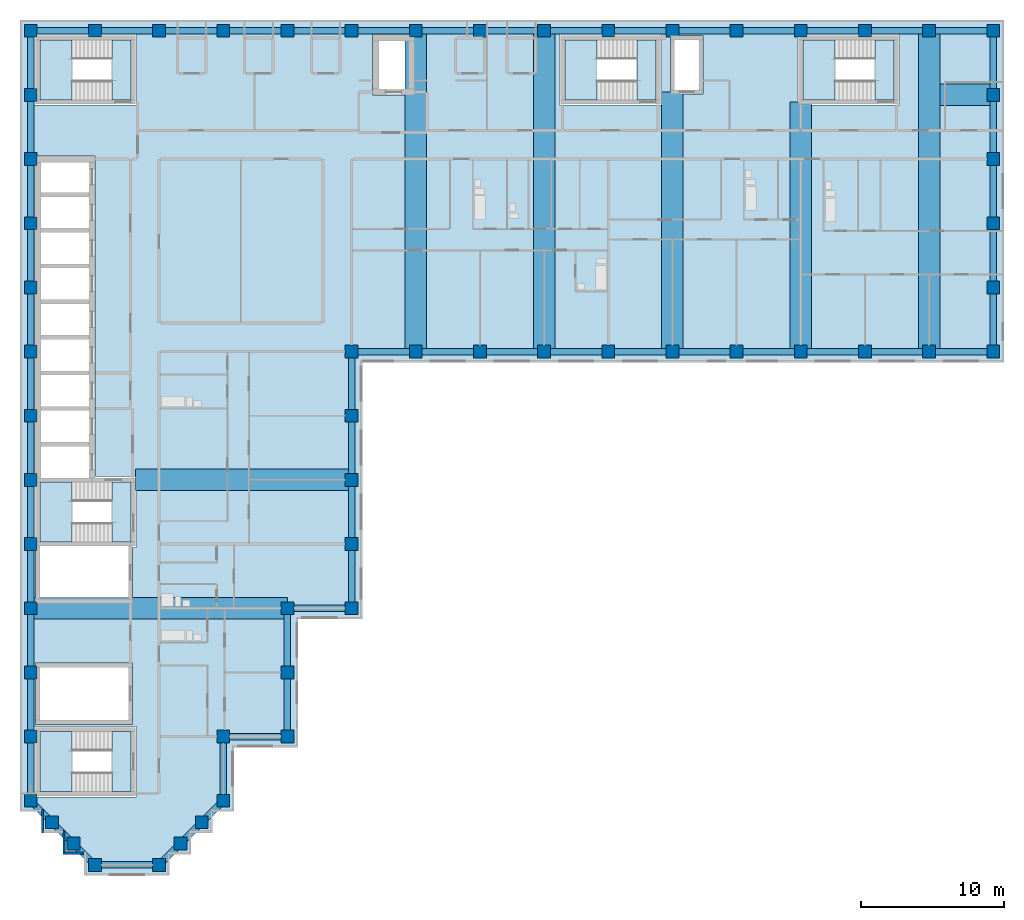
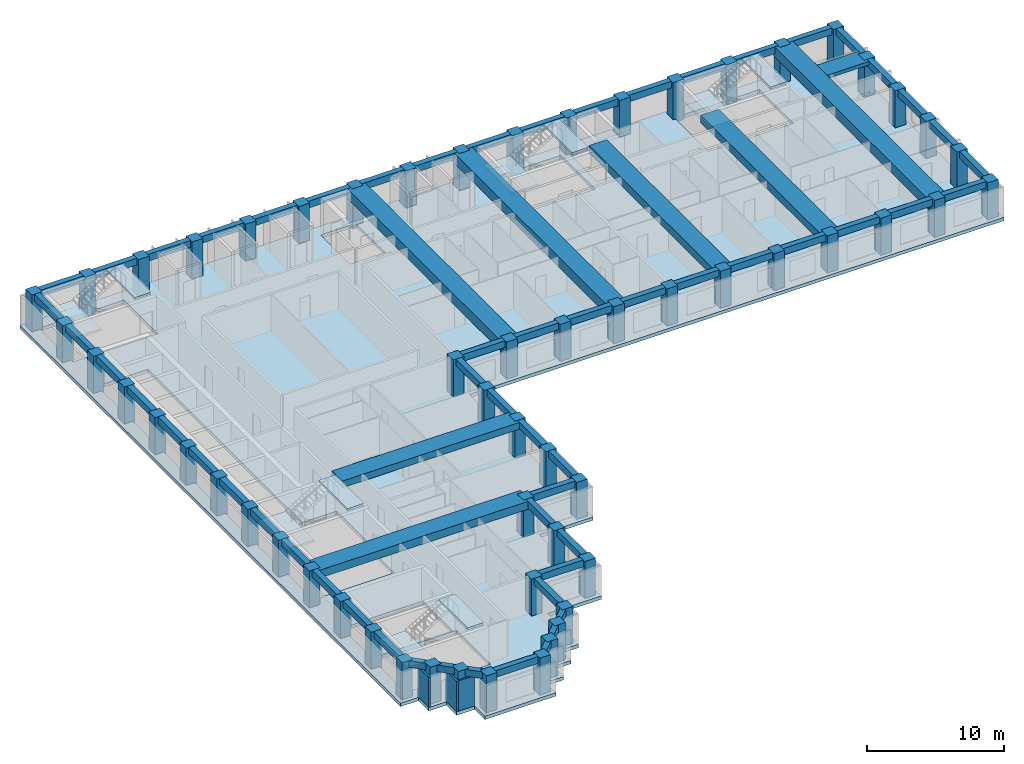
# One storey, part 1 of 11: 66 beams, 58 columns, 11 slabs, 3 walls, 5 elements without a shape of their own.
"""IFC4 building model written with IfcOpenShell, lengths in metres."""

from ifc_helpers import new_model, si_unit, direction, frame, frame_2d, origin, origin_2d, place, context, subcontext, project, spatial, polyline, rectangle, outline, extrude, material, layer, layer_set, material_profile, profile_set, type_object, element, aggregate, save


model = new_model("IFC4")

# Units and contexts
model_context = context("Model", 3, precision=1e-05, world=origin(), true_north=direction((0.0, 1.0)))
body_context = subcontext(model_context, "Body", "Model", "MODEL_VIEW")
ifc_project = project(units=[si_unit("LENGTHUNIT", "METRE"), si_unit("AREAUNIT", "SQUARE_METRE"), si_unit("VOLUMEUNIT", "CUBIC_METRE"), si_unit("PLANEANGLEUNIT", "RADIAN"), si_unit("MASSUNIT", "GRAM", prefix="KILO")], contexts=[model_context])

# Site, building, storey
site_placement = place(None, origin())
site = spatial("IfcSite", under=ifc_project, at=site_placement, CompositionType="ELEMENT")
building_placement = place(site_placement, origin())
building = spatial("IfcBuilding", under=site, at=building_placement, Name="Firuza Court", CompositionType="ELEMENT")
storey_placement = place(building_placement, frame((0.0, 0.0, 179.0)))
storey = spatial("IfcBuildingStorey", under=building, at=storey_placement, Name="L45", CompositionType="ELEMENT", Elevation=179.0)

# Columns
ifc_material_1 = material(Name="Concrete C50/60", Category="concrete")
ifc_material_profile_1 = material_profile(ifc_material_1, rectangle(XDim=0.89990234375, YDim=0.89990234375, at=origin_2d()), Name="RC 900x900")
ifc_profile_set_1 = profile_set([ifc_material_profile_1], Name="Concrete C50/60")
column_type = type_object("IfcColumnType", Name="Tube column RC 900x900 C50/60", PredefinedType="COLUMN", material=ifc_profile_set_1)
for number, where, z_axis, x_axis, name in (
    (1, (4.5, 0.0, -0.300048828125), (0.0, 0.0, 1.0), (1.0, 0.0, 0.0), "Column C-2D L45"),
    (2, (9.0, 0.0, -0.300048828125), (0.0, 0.0, 1.0), (1.0, 0.0, 0.0), "Column C-3D L45"),
    (3, (3.0, 1.5, -0.300048828125), (0.0, 0.0, 1.0), (1.0, 0.0, 0.0), "Column C-SA1 L45"),
    (4, (10.5, 1.5, -0.300048828125), (0.0, 0.0, 1.0), (1.0, 0.0, 0.0), "Column C-SA2 L45"),
    (5, (1.5, 3.0, -0.300048828125), (0.0, 0.0, 1.0), (1.0, 0.0, 0.0), "Column C-SA3 L45"),
    (6, (12.0, 3.0, -0.300048828125), (0.0, 0.0, 1.0), (1.0, 0.0, 0.0), "Column C-SA4 L45"),
    (7, (0.0, 4.5, -0.300048828125), (0.0, 0.0, 1.0), (1.0, 0.0, 0.0), "Column C-1E L45"),
    (8, (13.5, 4.5, -0.300048828125), (0.0, 0.0, 1.0), (1.0, 0.0, 0.0), "Column C-4E L45"),
    (9, (0.0, 9.0, -0.300048828125), (0.0, 0.0, 1.0), (1.0, 0.0, 0.0), "Column C-1F L45"),
    (10, (13.5, 9.0, -0.300048828125), (0.0, 0.0, 1.0), (1.0, 0.0, 0.0), "Column C-4F L45"),
    (11, (18.0, 9.0, -0.300048828125), (0.0, 0.0, 1.0), (1.0, 0.0, 0.0), "Column C-5F L45"),
    (12, (0.0, 13.5, -0.300048828125), (0.0, 0.0, 1.0), (1.0, 0.0, 0.0), "Column C-1G L45"),
    (13, (18.0, 13.5, -0.300048828125), (0.0, 0.0, 1.0), (1.0, 0.0, 0.0), "Column C-5G L45"),
    (14, (0.0, 18.0, -0.300048828125), (0.0, 0.0, 1.0), (1.0, 0.0, 0.0), "Column C-1H L45"),
    (15, (18.0, 18.0, -0.300048828125), (0.0, 0.0, 1.0), (1.0, 0.0, 0.0), "Column C-5H L45"),
    (16, (22.5, 18.0, -0.300048828125), (0.0, 0.0, 1.0), (1.0, 0.0, 0.0), "Column C-6H L45"),
    (17, (0.0, 22.5, -0.300048828125), (0.0, 0.0, 1.0), (1.0, 0.0, 0.0), "Column C-1J L45"),
    (18, (22.5, 22.5, -0.300048828125), (0.0, 0.0, 1.0), (1.0, 0.0, 0.0), "Column C-6J L45"),
    (19, (0.0, 27.0, -0.300048828125), (0.0, 0.0, 1.0), (1.0, 0.0, 0.0), "Column C-1K L45"),
    (20, (22.5, 27.0, -0.300048828125), (0.0, 0.0, 1.0), (1.0, 0.0, 0.0), "Column C-6K L45"),
    (21, (0.0, 31.5, -0.300048828125), (0.0, 0.0, 1.0), (1.0, 0.0, 0.0), "Column C-1L L45"),
    (22, (22.5, 31.5, -0.300048828125), (0.0, 0.0, 1.0), (1.0, 0.0, 0.0), "Column C-6L L45"),
    (23, (0.0, 36.0, -0.300048828125), (0.0, 0.0, 1.0), (1.0, 0.0, 0.0), "Column C-1M L45"),
    (24, (22.5, 36.0, -0.300048828125), (0.0, 0.0, 1.0), (1.0, 0.0, 0.0), "Column C-6M L45"),
    (25, (27.0, 36.0, -0.300048828125), (0.0, 0.0, 1.0), (1.0, 0.0, 0.0), "Column C-7M L45"),
    (26, (31.5, 36.0, -0.300048828125), (0.0, 0.0, 1.0), (1.0, 0.0, 0.0), "Column C-8M L45"),
    (27, (36.0, 36.0, -0.300048828125), (0.0, 0.0, 1.0), (1.0, 0.0, 0.0), "Column C-9M L45"),
    (28, (40.5, 36.0, -0.300048828125), (0.0, 0.0, 1.0), (1.0, 0.0, 0.0), "Column C-10M L45"),
    (29, (45.0, 36.0, -0.300048828125), (0.0, 0.0, 1.0), (1.0, 0.0, 0.0), "Column C-11M L45"),
    (30, (49.5, 36.0, -0.300048828125), (0.0, 0.0, 1.0), (1.0, 0.0, 0.0), "Column C-12M L45"),
    (31, (54.0, 36.0, -0.300048828125), (0.0, 0.0, 1.0), (1.0, 0.0, 0.0), "Column C-13M L45"),
    (32, (58.5, 36.0, -0.300048828125), (0.0, 0.0, 1.0), (1.0, 0.0, 0.0), "Column C-14M L45"),
    (33, (63.0, 36.0, -0.300048828125), (0.0, 0.0, 1.0), (1.0, 0.0, 0.0), "Column C-15M L45"),
    (34, (67.5, 36.0, -0.300048828125), (0.0, 0.0, 1.0), (1.0, 0.0, 0.0), "Column C-16M L45"),
    (35, (0.0, 40.5, -0.300048828125), (0.0, 0.0, 1.0), (1.0, 0.0, 0.0), "Column C-1N L45"),
    (36, (67.5, 40.5, -0.300048828125), (0.0, 0.0, 1.0), (1.0, 0.0, 0.0), "Column C-16N L45"),
    (37, (0.0, 45.0, -0.300048828125), (0.0, 0.0, 1.0), (1.0, 0.0, 0.0), "Column C-1P L45"),
    (38, (67.5, 45.0, -0.300048828125), (0.0, 0.0, 1.0), (1.0, 0.0, 0.0), "Column C-16P L45"),
    (39, (0.0, 49.5, -0.300048828125), (0.0, 0.0, 1.0), (1.0, 0.0, 0.0), "Column C-1Q L45"),
    (40, (67.5, 49.5, -0.300048828125), (0.0, 0.0, 1.0), (1.0, 0.0, 0.0), "Column C-16Q L45"),
    (41, (0.0, 54.0, -0.300048828125), (0.0, 0.0, 1.0), (1.0, 0.0, 0.0), "Column C-1R L45"),
    (42, (67.5, 54.0, -0.300048828125), (0.0, 0.0, 1.0), (1.0, 0.0, 0.0), "Column C-16R L45"),
    (43, (0.0, 58.5, -0.300048828125), (0.0, 0.0, 1.0), (1.0, 0.0, 0.0), "Column C-1S L45"),
    (44, (4.5, 58.5, -0.300048828125), (0.0, 0.0, 1.0), (1.0, 0.0, 0.0), "Column C-2S L45"),
    (45, (9.0, 58.5, -0.300048828125), (0.0, 0.0, 1.0), (1.0, 0.0, 0.0), "Column C-3S L45"),
    (46, (13.5, 58.5, -0.300048828125), (0.0, 0.0, 1.0), (1.0, 0.0, 0.0), "Column C-4S L45"),
    (47, (18.0, 58.5, -0.300048828125), (0.0, 0.0, 1.0), (1.0, 0.0, 0.0), "Column C-5S L45"),
    (48, (22.5, 58.5, -0.300048828125), (0.0, 0.0, 1.0), (1.0, 0.0, 0.0), "Column C-6S L45"),
    (49, (27.0, 58.5, -0.300048828125), (0.0, 0.0, 1.0), (1.0, 0.0, 0.0), "Column C-7S L45"),
    (50, (31.5, 58.5, -0.300048828125), (0.0, 0.0, 1.0), (1.0, 0.0, 0.0), "Column C-8S L45"),
    (51, (36.0, 58.5, -0.300048828125), (0.0, 0.0, 1.0), (1.0, 0.0, 0.0), "Column C-9S L45"),
    (52, (40.5, 58.5, -0.300048828125), (0.0, 0.0, 1.0), (1.0, 0.0, 0.0), "Column C-10S L45"),
    (53, (45.0, 58.5, -0.300048828125), (0.0, 0.0, 1.0), (1.0, 0.0, 0.0), "Column C-11S L45"),
    (54, (49.5, 58.5, -0.300048828125), (0.0, 0.0, 1.0), (1.0, 0.0, 0.0), "Column C-12S L45"),
    (55, (54.0, 58.5, -0.300048828125), (0.0, 0.0, 1.0), (1.0, 0.0, 0.0), "Column C-13S L45"),
    (56, (58.5, 58.5, -0.300048828125), (0.0, 0.0, 1.0), (1.0, 0.0, 0.0), "Column C-14S L45"),
    (57, (63.0, 58.5, -0.300048828125), (0.0, 0.0, 1.0), (1.0, 0.0, 0.0), "Column C-15S L45"),
    (58, (67.5, 58.5, -0.300048828125), (0.0, 0.0, 1.0), (1.0, 0.0, 0.0), "Column C-16S L45"),
):
    element("IfcColumn", number, at=place(storey_placement, frame(where, z_axis=z_axis, x_axis=x_axis)), inside=storey, type_object=column_type, Name=name, PredefinedType="COLUMN", context=body_context, shape_type="SweptSolid", body=[
        extrude(rectangle(XDim=0.89990234375, YDim=0.89990234375, at=origin_2d()), origin(), (0.0, 0.0, 1.0), 3.60009765625),
    ])

# Beams
ifc_material_2 = material(Name="Concrete C40/50", Category="concrete")
ifc_material_profile_2 = material_profile(ifc_material_2, rectangle(XDim=1.5, YDim=0.300048828125, at=origin_2d()), Name="RC 1500x300")
ifc_profile_set_2 = profile_set([ifc_material_profile_2], Name="Concrete C40/50")
beam_type_1 = type_object("IfcBeamType", Name="Band beam RC 1500x300 C40/50", PredefinedType="BEAM", material=ifc_profile_set_2)
beam_1_placement = place(storey_placement, frame((67.5, 54.0, 3.14990234375), z_axis=(-1.0, 0.0, 0.0), x_axis=(0.0, -1.0, 0.0)))
element("IfcBeam", 59, at=beam_1_placement, inside=storey, type_object=beam_type_1, Name="Band beam FB6 level L46", PredefinedType="BEAM", context=body_context, shape_type="SweptSolid", body=[
    extrude(rectangle(XDim=1.5, YDim=0.300048828125, at=origin_2d()), origin(), (0.0, 0.0, 1.0), 3.75),
])
ifc_material_3 = material(Name="Concrete C40/50", Category="concrete")
ifc_material_profile_3 = material_profile(ifc_material_3, rectangle(XDim=1.5, YDim=0.60009765625, at=origin_2d()), Name="RC 1500x600")
ifc_profile_set_3 = profile_set([ifc_material_profile_3], Name="Concrete C40/50")
beam_type_2 = type_object("IfcBeamType", Name="Band beam RC 1500x600 C40/50", PredefinedType="BEAM", material=ifc_profile_set_3)
beam_2_placement = place(storey_placement, frame((22.5, 27.0, 3.0), z_axis=(-1.0, 0.0, 0.0), x_axis=(0.0, -1.0, 0.0)))
element("IfcBeam", 60, at=beam_2_placement, inside=storey, type_object=beam_type_2, Name="Band beam FB3 level L46", PredefinedType="BEAM", context=body_context, shape_type="SweptSolid", body=[
    extrude(rectangle(XDim=1.5, YDim=0.60009765625, at=origin_2d()), origin(), (0.0, 0.0, 1.0), 15.14990234375),
])
ifc_material_4 = material(Name="Concrete C40/50", Category="concrete")
ifc_material_profile_4 = material_profile(ifc_material_4, rectangle(XDim=1.5, YDim=0.699951171875, at=origin_2d()), Name="RC 1500x700")
ifc_profile_set_4 = profile_set([ifc_material_profile_4], Name="Concrete C40/50")
beam_type_3 = type_object("IfcBeamType", Name="Band beam RC 1500x700 C40/50", PredefinedType="BEAM", material=ifc_profile_set_4)
beam_3_placement = place(storey_placement, frame((0.0, 18.0, 2.949951171875), z_axis=(1.0, 0.0, 0.0), x_axis=(0.0, 1.0, 0.0)))
element("IfcBeam", 61, at=beam_3_placement, inside=storey, type_object=beam_type_3, Name="Band beam FB1 level L46", PredefinedType="BEAM", context=body_context, shape_type="SweptSolid", body=[
    extrude(rectangle(XDim=1.5, YDim=0.699951171875, at=origin_2d()), origin(), (0.0, 0.0, 1.0), 18.0),
])
beam_4_placement = place(storey_placement, frame((45.0, 36.0, 2.949951171875), z_axis=(0.0, 1.0, 0.0), x_axis=(-1.0, 0.0, 0.0)))
element("IfcBeam", 62, at=beam_4_placement, inside=storey, type_object=beam_type_3, Name="Band beam FB1 level L46", PredefinedType="BEAM", context=body_context, shape_type="SweptSolid", body=[
    extrude(rectangle(XDim=1.5, YDim=0.699951171875, at=origin_2d()), origin(), (0.0, 0.0, 1.0), 18.199951171875),
])
beam_5_placement = place(storey_placement, frame((54.0, 36.0, 2.949951171875), z_axis=(0.0, 1.0, 0.0), x_axis=(-1.0, 0.0, 0.0)))
element("IfcBeam", 63, at=beam_5_placement, inside=storey, type_object=beam_type_3, Name="Band beam FB1 level L46", PredefinedType="BEAM", context=body_context, shape_type="SweptSolid", body=[
    extrude(rectangle(XDim=1.5, YDim=0.699951171875, at=origin_2d()), origin(), (0.0, 0.0, 1.0), 17.5),
])
ifc_material_5 = material(Name="Concrete C40/50", Category="concrete")
ifc_material_profile_5 = material_profile(ifc_material_5, rectangle(XDim=1.5, YDim=0.89990234375, at=origin_2d()), Name="RC 1500x900")
ifc_profile_set_5 = profile_set([ifc_material_profile_5], Name="Concrete C40/50")
beam_type_4 = type_object("IfcBeamType", Name="Band beam RC 1500x900 C40/50", PredefinedType="BEAM", material=ifc_profile_set_5)
for number, where, z_axis, x_axis, name in (
    (64, (27.0, 36.0, 2.85009765625), (0.0, 1.0, 0.0), (-1.0, 0.0, 0.0), "Band beam FB2 level L46"),
    (65, (36.0, 36.0, 2.85009765625), (0.0, 1.0, 0.0), (-1.0, 0.0, 0.0), "Band beam FB2 level L46"),
    (66, (63.0, 36.0, 2.85009765625), (0.0, 1.0, 0.0), (-1.0, 0.0, 0.0), "Band beam FB2 level L46"),
):
    element("IfcBeam", number, at=place(storey_placement, frame(where, z_axis=z_axis, x_axis=x_axis)), inside=storey, type_object=beam_type_4, Name=name, PredefinedType="BEAM", context=body_context, shape_type="SweptSolid", body=[
        extrude(rectangle(XDim=1.5, YDim=0.89990234375, at=origin_2d()), origin(), (0.0, 0.0, 1.0), 22.5),
    ])
ifc_material_6 = material(Name="Concrete C40/50", Category="concrete")
ifc_material_profile_6 = material_profile(ifc_material_6, rectangle(XDim=0.449951171875, YDim=0.60009765625, at=origin_2d()), Name="RC 450x600")
ifc_profile_set_6 = profile_set([ifc_material_profile_6], Name="Concrete C40/50")
beam_type_5 = type_object("IfcBeamType", Name="Spandrel beam RC 450x600 C40/50", PredefinedType="BEAM", material=ifc_profile_set_6)
beam_6_placement = place(storey_placement, frame((0.0, 4.5, 3.0), z_axis=(0.707106781187, -0.707106781187, 0.0), x_axis=(0.707106781187, 0.707106781187, 0.0)))
element("IfcBeam", 67, at=beam_6_placement, inside=storey, type_object=beam_type_5, Name="Spandrel beam SP15 level L46", PredefinedType="BEAM", context=body_context, shape_type="SweptSolid", body=[
    extrude(rectangle(XDim=0.449951171875, YDim=0.60009765625, at=origin_2d()), origin(), (0.0, 0.0, 1.0), 2.121337890625),
])
for number, where, z_axis, x_axis, name in (
    (68, (0.0, 9.0, 3.0), (0.0, -1.0, 0.0), (1.0, 0.0, 0.0), "Spandrel beam SP15 level L46"),
    (69, (0.0, 13.5, 3.0), (0.0, -1.0, 0.0), (1.0, 0.0, 0.0), "Spandrel beam SP15 level L46"),
    (70, (0.0, 18.0, 3.0), (0.0, -1.0, 0.0), (1.0, 0.0, 0.0), "Spandrel beam SP15 level L46"),
    (71, (0.0, 22.5, 3.0), (0.0, -1.0, 0.0), (1.0, 0.0, 0.0), "Spandrel beam SP15 level L46"),
    (72, (0.0, 27.0, 3.0), (0.0, -1.0, 0.0), (1.0, 0.0, 0.0), "Spandrel beam SP15 level L46"),
    (73, (0.0, 31.5, 3.0), (0.0, -1.0, 0.0), (1.0, 0.0, 0.0), "Spandrel beam SP15 level L46"),
    (74, (0.0, 36.0, 3.0), (0.0, -1.0, 0.0), (1.0, 0.0, 0.0), "Spandrel beam SP15 level L46"),
    (75, (0.0, 40.5, 3.0), (0.0, -1.0, 0.0), (1.0, 0.0, 0.0), "Spandrel beam SP15 level L46"),
    (76, (0.0, 45.0, 3.0), (0.0, -1.0, 0.0), (1.0, 0.0, 0.0), "Spandrel beam SP15 level L46"),
    (77, (0.0, 49.5, 3.0), (0.0, -1.0, 0.0), (1.0, 0.0, 0.0), "Spandrel beam SP15 level L46"),
    (78, (0.0, 54.0, 3.0), (0.0, -1.0, 0.0), (1.0, 0.0, 0.0), "Spandrel beam SP15 level L46"),
    (79, (0.0, 58.5, 3.0), (0.0, -1.0, 0.0), (1.0, 0.0, 0.0), "Spandrel beam SP15 level L46"),
):
    element("IfcBeam", number, at=place(storey_placement, frame(where, z_axis=z_axis, x_axis=x_axis)), inside=storey, type_object=beam_type_5, Name=name, PredefinedType="BEAM", context=body_context, shape_type="SweptSolid", body=[
        extrude(rectangle(XDim=0.449951171875, YDim=0.60009765625, at=origin_2d()), origin(), (0.0, 0.0, 1.0), 4.5),
    ])
for number, where, z_axis, x_axis, name in (
    (80, (1.5, 3.0, 3.0), (0.707106781187, -0.707106781187, 0.0), (0.707106781187, 0.707106781187, 0.0), "Spandrel beam SP15 level L46"),
    (81, (3.0, 1.5, 3.0), (0.707106781187, -0.707106781187, 0.0), (0.707106781187, 0.707106781187, 0.0), "Spandrel beam SP15 level L46"),
):
    element("IfcBeam", number, at=place(storey_placement, frame(where, z_axis=z_axis, x_axis=x_axis)), inside=storey, type_object=beam_type_5, Name=name, PredefinedType="BEAM", context=body_context, shape_type="SweptSolid", body=[
        extrude(rectangle(XDim=0.449951171875, YDim=0.60009765625, at=origin_2d()), origin(), (0.0, 0.0, 1.0), 2.121337890625),
    ])
for number, where, z_axis, x_axis, name in (
    (82, (4.5, 0.0, 3.0), (1.0, 0.0, 0.0), (0.0, 1.0, 0.0), "Spandrel beam SP15 level L46"),
    (83, (4.5, 58.5, 3.0), (-1.0, 0.0, 0.0), (0.0, -1.0, 0.0), "Spandrel beam SP15 level L46"),
):
    element("IfcBeam", number, at=place(storey_placement, frame(where, z_axis=z_axis, x_axis=x_axis)), inside=storey, type_object=beam_type_5, Name=name, PredefinedType="BEAM", context=body_context, shape_type="SweptSolid", body=[
        extrude(rectangle(XDim=0.449951171875, YDim=0.60009765625, at=origin_2d()), origin(), (0.0, 0.0, 1.0), 4.5),
    ])
beam_7_placement = place(storey_placement, frame((9.0, 0.0, 3.0), z_axis=(0.707106781187, 0.707106781187, 0.0), x_axis=(-0.707106781187, 0.707106781187, 0.0)))
element("IfcBeam", 84, at=beam_7_placement, inside=storey, type_object=beam_type_5, Name="Spandrel beam SP15 level L46", PredefinedType="BEAM", context=body_context, shape_type="SweptSolid", body=[
    extrude(rectangle(XDim=0.449951171875, YDim=0.60009765625, at=origin_2d()), origin(), (0.0, 0.0, 1.0), 2.121337890625),
])
beam_8_placement = place(storey_placement, frame((9.0, 58.5, 3.0), z_axis=(-1.0, 0.0, 0.0), x_axis=(0.0, -1.0, 0.0)))
element("IfcBeam", 85, at=beam_8_placement, inside=storey, type_object=beam_type_5, Name="Spandrel beam SP15 level L46", PredefinedType="BEAM", context=body_context, shape_type="SweptSolid", body=[
    extrude(rectangle(XDim=0.449951171875, YDim=0.60009765625, at=origin_2d()), origin(), (0.0, 0.0, 1.0), 4.5),
])
for number, where, z_axis, x_axis, name in (
    (86, (10.5, 1.5, 3.0), (0.707106781187, 0.707106781187, 0.0), (-0.707106781187, 0.707106781187, 0.0), "Spandrel beam SP15 level L46"),
    (87, (12.0, 3.0, 3.0), (0.707106781187, 0.707106781187, 0.0), (-0.707106781187, 0.707106781187, 0.0), "Spandrel beam SP15 level L46"),
):
    element("IfcBeam", number, at=place(storey_placement, frame(where, z_axis=z_axis, x_axis=x_axis)), inside=storey, type_object=beam_type_5, Name=name, PredefinedType="BEAM", context=body_context, shape_type="SweptSolid", body=[
        extrude(rectangle(XDim=0.449951171875, YDim=0.60009765625, at=origin_2d()), origin(), (0.0, 0.0, 1.0), 2.121337890625),
    ])
for number, where, z_axis, x_axis, name in (
    (88, (13.5, 4.5, 3.0), (0.0, 1.0, 0.0), (-1.0, 0.0, 0.0), "Spandrel beam SP15 level L46"),
    (89, (13.5, 9.0, 3.0), (1.0, 0.0, 0.0), (0.0, 1.0, 0.0), "Spandrel beam SP15 level L46"),
    (90, (13.5, 58.5, 3.0), (-1.0, 0.0, 0.0), (0.0, -1.0, 0.0), "Spandrel beam SP15 level L46"),
    (91, (18.0, 9.0, 3.0), (0.0, 1.0, 0.0), (-1.0, 0.0, 0.0), "Spandrel beam SP15 level L46"),
    (92, (18.0, 13.5, 3.0), (0.0, 1.0, 0.0), (-1.0, 0.0, 0.0), "Spandrel beam SP15 level L46"),
    (93, (18.0, 18.0, 3.0), (1.0, 0.0, 0.0), (0.0, 1.0, 0.0), "Spandrel beam SP15 level L46"),
    (94, (18.0, 58.5, 3.0), (-1.0, 0.0, 0.0), (0.0, -1.0, 0.0), "Spandrel beam SP15 level L46"),
    (95, (22.5, 18.0, 3.0), (0.0, 1.0, 0.0), (-1.0, 0.0, 0.0), "Spandrel beam SP15 level L46"),
    (96, (22.5, 22.5, 3.0), (0.0, 1.0, 0.0), (-1.0, 0.0, 0.0), "Spandrel beam SP15 level L46"),
    (97, (22.5, 27.0, 3.0), (0.0, 1.0, 0.0), (-1.0, 0.0, 0.0), "Spandrel beam SP15 level L46"),
    (98, (22.5, 31.5, 3.0), (0.0, 1.0, 0.0), (-1.0, 0.0, 0.0), "Spandrel beam SP15 level L46"),
    (99, (22.5, 36.0, 3.0), (1.0, 0.0, 0.0), (0.0, 1.0, 0.0), "Spandrel beam SP15 level L46"),
    (100, (22.5, 58.5, 3.0), (-1.0, 0.0, 0.0), (0.0, -1.0, 0.0), "Spandrel beam SP15 level L46"),
    (101, (27.0, 36.0, 3.0), (1.0, 0.0, 0.0), (0.0, 1.0, 0.0), "Spandrel beam SP15 level L46"),
    (102, (27.0, 58.5, 3.0), (-1.0, 0.0, 0.0), (0.0, -1.0, 0.0), "Spandrel beam SP15 level L46"),
    (103, (31.5, 36.0, 3.0), (1.0, 0.0, 0.0), (0.0, 1.0, 0.0), "Spandrel beam SP15 level L46"),
    (104, (31.5, 58.5, 3.0), (-1.0, 0.0, 0.0), (0.0, -1.0, 0.0), "Spandrel beam SP15 level L46"),
    (105, (36.0, 36.0, 3.0), (1.0, 0.0, 0.0), (0.0, 1.0, 0.0), "Spandrel beam SP15 level L46"),
    (106, (36.0, 58.5, 3.0), (-1.0, 0.0, 0.0), (0.0, -1.0, 0.0), "Spandrel beam SP15 level L46"),
    (107, (40.5, 36.0, 3.0), (1.0, 0.0, 0.0), (0.0, 1.0, 0.0), "Spandrel beam SP15 level L46"),
    (108, (40.5, 58.5, 3.0), (-1.0, 0.0, 0.0), (0.0, -1.0, 0.0), "Spandrel beam SP15 level L46"),
    (109, (45.0, 36.0, 3.0), (1.0, 0.0, 0.0), (0.0, 1.0, 0.0), "Spandrel beam SP15 level L46"),
    (110, (45.0, 58.5, 3.0), (-1.0, 0.0, 0.0), (0.0, -1.0, 0.0), "Spandrel beam SP15 level L46"),
    (111, (49.5, 36.0, 3.0), (1.0, 0.0, 0.0), (0.0, 1.0, 0.0), "Spandrel beam SP15 level L46"),
    (112, (49.5, 58.5, 3.0), (-1.0, 0.0, 0.0), (0.0, -1.0, 0.0), "Spandrel beam SP15 level L46"),
    (113, (54.0, 36.0, 3.0), (1.0, 0.0, 0.0), (0.0, 1.0, 0.0), "Spandrel beam SP15 level L46"),
    (114, (54.0, 58.5, 3.0), (-1.0, 0.0, 0.0), (0.0, -1.0, 0.0), "Spandrel beam SP15 level L46"),
    (115, (58.5, 36.0, 3.0), (1.0, 0.0, 0.0), (0.0, 1.0, 0.0), "Spandrel beam SP15 level L46"),
    (116, (58.5, 58.5, 3.0), (-1.0, 0.0, 0.0), (0.0, -1.0, 0.0), "Spandrel beam SP15 level L46"),
    (117, (63.0, 36.0, 3.0), (1.0, 0.0, 0.0), (0.0, 1.0, 0.0), "Spandrel beam SP15 level L46"),
    (118, (63.0, 58.5, 3.0), (-1.0, 0.0, 0.0), (0.0, -1.0, 0.0), "Spandrel beam SP15 level L46"),
    (119, (67.5, 36.0, 3.0), (0.0, 1.0, 0.0), (-1.0, 0.0, 0.0), "Spandrel beam SP15 level L46"),
    (120, (67.5, 40.5, 3.0), (0.0, 1.0, 0.0), (-1.0, 0.0, 0.0), "Spandrel beam SP15 level L46"),
    (121, (67.5, 45.0, 3.0), (0.0, 1.0, 0.0), (-1.0, 0.0, 0.0), "Spandrel beam SP15 level L46"),
    (122, (67.5, 49.5, 3.0), (0.0, 1.0, 0.0), (-1.0, 0.0, 0.0), "Spandrel beam SP15 level L46"),
    (123, (67.5, 54.0, 3.0), (0.0, 1.0, 0.0), (-1.0, 0.0, 0.0), "Spandrel beam SP15 level L46"),
    (124, (67.5, 58.5, 3.0), (-1.0, 0.0, 0.0), (0.0, -1.0, 0.0), "Spandrel beam SP15 level L46"),
):
    element("IfcBeam", number, at=place(storey_placement, frame(where, z_axis=z_axis, x_axis=x_axis)), inside=storey, type_object=beam_type_5, Name=name, PredefinedType="BEAM", context=body_context, shape_type="SweptSolid", body=[
        extrude(rectangle(XDim=0.449951171875, YDim=0.60009765625, at=origin_2d()), origin(), (0.0, 0.0, 1.0), 4.5),
    ])

# Slab
ifc_material_7 = material(Name="Concrete C40/50", Category="concrete")
ifc_layer_1 = layer(ifc_material_7, 0.300048828125)
ifc_layer_set_1 = layer_set([ifc_layer_1], Name="Concrete C40/50")
slab_type_1 = type_object("IfcSlabType", Name="Floor slab 300 C40/50", PredefinedType="FLOOR", material=ifc_layer_set_1)
slab_1_placement = place(storey_placement, frame((0.0, 0.0, -0.300048828125)))
element("IfcSlab", 125, at=slab_1_placement, inside=storey, type_object=slab_type_1, Name="Floor slab L45", PredefinedType="FLOOR", context=body_context, shape_type="SweptSolid", body=[
    extrude(outline(polyline([(3.75, -0.75), (3.75, 0.75), (2.25, 0.75), (2.25, 2.25), (0.75, 2.25), (0.75, 3.75), (-0.75, 3.75), (-0.75, 59.25), (68.25, 59.25), (68.25, 35.25), (23.25, 35.25), (23.25, 17.25), (18.75, 17.25), (18.75, 8.25), (14.25, 8.25), (14.25, 3.75), (12.75, 3.75), (12.75, 2.25), (11.25, 2.25), (11.25, 0.75), (9.75, 0.75), (9.75, -0.75), (3.75, -0.75)]), holes=[polyline([(0.27490234375, 29.72509765625), (0.27490234375, 29.27490234375), (0.27490234375, 27.22509765625), (0.27490234375, 26.77490234375), (0.27490234375, 22.27490234375), (0.35009765625, 22.27490234375), (0.35009765625, 18.35009765625), (7.14990234375, 18.35009765625), (7.14990234375, 22.27490234375), (7.425048828125, 22.27490234375), (7.425048828125, 27.22509765625), (4.52490234375, 27.22509765625), (4.52490234375, 29.27490234375), (4.52490234375, 29.72509765625), (4.52490234375, 31.77490234375), (4.52490234375, 32.22509765625), (4.52490234375, 34.27490234375), (4.52490234375, 34.72509765625), (4.52490234375, 36.77490234375), (4.52490234375, 37.22509765625), (4.52490234375, 39.27490234375), (4.52490234375, 39.72509765625), (4.52490234375, 41.77490234375), (4.52490234375, 42.22509765625), (4.52490234375, 44.27490234375), (4.52490234375, 44.72509765625), (4.52490234375, 46.77490234375), (4.52490234375, 47.22509765625), (4.52490234375, 49.72509765625), (0.27490234375, 49.72509765625), (0.27490234375, 47.22509765625), (0.27490234375, 46.77490234375), (0.27490234375, 44.72509765625), (0.27490234375, 44.27490234375), (0.27490234375, 42.22509765625), (0.27490234375, 41.77490234375), (0.27490234375, 39.72509765625), (0.27490234375, 39.27490234375), (0.27490234375, 37.22509765625), (0.27490234375, 36.77490234375), (0.27490234375, 34.72509765625), (0.27490234375, 34.27490234375), (0.27490234375, 32.22509765625), (0.27490234375, 31.77490234375), (0.27490234375, 29.72509765625)]), polyline([(7.425048828125, 9.72509765625), (0.27490234375, 9.72509765625), (0.27490234375, 4.77490234375), (7.425048828125, 4.77490234375), (7.425048828125, 9.72509765625)]), polyline([(7.14990234375, 14.14990234375), (0.35009765625, 14.14990234375), (0.35009765625, 9.85009765625), (7.14990234375, 9.85009765625), (7.14990234375, 14.14990234375)]), polyline([(7.425048828125, 58.22509765625), (0.27490234375, 58.22509765625), (0.27490234375, 53.27490234375), (7.425048828125, 53.27490234375), (7.425048828125, 58.22509765625)]), polyline([(44.22509765625, 58.22509765625), (37.074951171875, 58.22509765625), (37.074951171875, 53.27490234375), (44.22509765625, 53.27490234375), (44.22509765625, 58.22509765625)]), polyline([(60.925048828125, 58.22509765625), (53.77490234375, 58.22509765625), (53.77490234375, 53.27490234375), (60.925048828125, 53.27490234375), (60.925048828125, 58.22509765625)]), polyline([(26.925048828125, 53.97509765625), (26.925048828125, 58.22509765625), (23.97509765625, 58.22509765625), (23.97509765625, 53.97509765625), (26.925048828125, 53.97509765625)]), polyline([(47.14990234375, 54.050048828125), (47.14990234375, 58.14990234375), (44.85009765625, 58.14990234375), (44.85009765625, 54.050048828125), (47.14990234375, 54.050048828125)])]), origin(), (0.0, 0.0, 1.0), 0.300048828125),
])

# Stair, slabs
ifc_material_8 = material(Name="Concrete C40/50 precast", Category="concrete")
stair_type = type_object("IfcStairType", Name="Stair 1350 x 3600 2 flights", PredefinedType="HALF_TURN_STAIR", material=ifc_material_8)
stair_1_placement = place(storey_placement, origin())
stair_1 = element("IfcStair", 126, at=stair_1_placement, inside=storey, type_object=stair_type, Name="Stair 1 L45", PredefinedType="HALF_TURN_STAIR")
ifc_material_9 = material(Name="Concrete C40/50 precast", Category="concrete")
ifc_layer_2 = layer(ifc_material_9, 0.199951171875)
ifc_layer_set_2 = layer_set([ifc_layer_2], Name="Concrete C40/50 precast")
slab_type_2 = type_object("IfcSlabType", Name="Stair landing 200", PredefinedType="LANDING", material=ifc_layer_set_2)
slab_2_placement = place(storey_placement, frame((0.0, 0.0, 1.60009765625)))
slab_2 = element("IfcSlab", 127, at=slab_2_placement, type_object=slab_type_2, Name="S1 landing 1", PredefinedType="LANDING", context=body_context, shape_type="SweptSolid", body=[
    extrude(outline(polyline([(39.699951171875, 53.64990234375), (39.699951171875, 57.85009765625), (37.449951171875, 57.85009765625), (37.449951171875, 53.64990234375), (39.699951171875, 53.64990234375)])), origin(), (0.0, 0.0, 1.0), 0.199951171875),
])
slab_3_placement = place(storey_placement, frame((0.0, 0.0, 3.39990234375)))
slab_3 = element("IfcSlab", 128, at=slab_3_placement, type_object=slab_type_2, Name="S1 landing 2", PredefinedType="LANDING", context=body_context, shape_type="SweptSolid", body=[
    extrude(outline(polyline([(43.85009765625, 53.64990234375), (43.85009765625, 57.85009765625), (42.5, 57.85009765625), (42.5, 53.64990234375), (43.85009765625, 53.64990234375)])), origin(), (0.0, 0.0, 1.0), 0.2001953125),
])
aggregate(stair_1, [slab_2, slab_3])

stair_2_placement = place(storey_placement, origin())
stair_2 = element("IfcStair", 129, at=stair_2_placement, inside=storey, type_object=stair_type, Name="Stair 2 L45", PredefinedType="HALF_TURN_STAIR")
slab_4_placement = place(storey_placement, frame((0.0, 0.0, 1.60009765625)))
slab_4 = element("IfcSlab", 130, at=slab_4_placement, type_object=slab_type_2, Name="S2 landing 1", PredefinedType="LANDING", context=body_context, shape_type="SweptSolid", body=[
    extrude(outline(polyline([(2.89990234375, 22.64990234375), (2.89990234375, 26.85009765625), (0.64990234375, 26.85009765625), (0.64990234375, 22.64990234375), (2.89990234375, 22.64990234375)])), origin(), (0.0, 0.0, 1.0), 0.199951171875),
])
slab_5_placement = place(storey_placement, frame((0.0, 0.0, 3.39990234375)))
slab_5 = element("IfcSlab", 131, at=slab_5_placement, type_object=slab_type_2, Name="S2 landing 2", PredefinedType="LANDING", context=body_context, shape_type="SweptSolid", body=[
    extrude(outline(polyline([(7.050048828125, 22.64990234375), (7.050048828125, 26.85009765625), (5.699951171875, 26.85009765625), (5.699951171875, 22.64990234375), (7.050048828125, 22.64990234375)])), origin(), (0.0, 0.0, 1.0), 0.2001953125),
])
aggregate(stair_2, [slab_4, slab_5])

stair_3_placement = place(storey_placement, origin())
stair_3 = element("IfcStair", 132, at=stair_3_placement, inside=storey, type_object=stair_type, Name="Stair 3 L45", PredefinedType="HALF_TURN_STAIR")
slab_6_placement = place(storey_placement, frame((0.0, 0.0, 1.60009765625)))
slab_6 = element("IfcSlab", 133, at=slab_6_placement, type_object=slab_type_2, Name="S3 landing 1", PredefinedType="LANDING", context=body_context, shape_type="SweptSolid", body=[
    extrude(outline(polyline([(2.89990234375, 53.64990234375), (2.89990234375, 57.85009765625), (0.64990234375, 57.85009765625), (0.64990234375, 53.64990234375), (2.89990234375, 53.64990234375)])), origin(), (0.0, 0.0, 1.0), 0.199951171875),
])
slab_7_placement = place(storey_placement, frame((0.0, 0.0, 3.39990234375)))
slab_7 = element("IfcSlab", 134, at=slab_7_placement, type_object=slab_type_2, Name="S3 landing 2", PredefinedType="LANDING", context=body_context, shape_type="SweptSolid", body=[
    extrude(outline(polyline([(7.050048828125, 53.64990234375), (7.050048828125, 57.85009765625), (5.699951171875, 57.85009765625), (5.699951171875, 53.64990234375), (7.050048828125, 53.64990234375)])), origin(), (0.0, 0.0, 1.0), 0.2001953125),
])
aggregate(stair_3, [slab_6, slab_7])

stair_4_placement = place(storey_placement, origin())
stair_4 = element("IfcStair", 135, at=stair_4_placement, inside=storey, type_object=stair_type, Name="Stair 4 L45", PredefinedType="HALF_TURN_STAIR")
slab_8_placement = place(storey_placement, frame((0.0, 0.0, 1.60009765625)))
slab_8 = element("IfcSlab", 136, at=slab_8_placement, type_object=slab_type_2, Name="S4 landing 1", PredefinedType="LANDING", context=body_context, shape_type="SweptSolid", body=[
    extrude(outline(polyline([(56.39990234375, 53.64990234375), (56.39990234375, 57.85009765625), (54.14990234375, 57.85009765625), (54.14990234375, 53.64990234375), (56.39990234375, 53.64990234375)])), origin(), (0.0, 0.0, 1.0), 0.199951171875),
])
slab_9_placement = place(storey_placement, frame((0.0, 0.0, 3.39990234375)))
slab_9 = element("IfcSlab", 137, at=slab_9_placement, type_object=slab_type_2, Name="S4 landing 2", PredefinedType="LANDING", context=body_context, shape_type="SweptSolid", body=[
    extrude(outline(polyline([(60.550048828125, 53.64990234375), (60.550048828125, 57.85009765625), (59.199951171875, 57.85009765625), (59.199951171875, 53.64990234375), (60.550048828125, 53.64990234375)])), origin(), (0.0, 0.0, 1.0), 0.2001953125),
])
aggregate(stair_4, [slab_8, slab_9])

stair_5_placement = place(storey_placement, origin())
stair_5 = element("IfcStair", 138, at=stair_5_placement, inside=storey, type_object=stair_type, Name="Stair 5 L45", PredefinedType="HALF_TURN_STAIR")
slab_10_placement = place(storey_placement, frame((0.0, 0.0, 1.60009765625)))
slab_10 = element("IfcSlab", 139, at=slab_10_placement, type_object=slab_type_2, Name="S5 landing 1", PredefinedType="LANDING", context=body_context, shape_type="SweptSolid", body=[
    extrude(outline(polyline([(2.89990234375, 5.14990234375), (2.89990234375, 9.35009765625), (0.64990234375, 9.35009765625), (0.64990234375, 5.14990234375), (2.89990234375, 5.14990234375)])), origin(), (0.0, 0.0, 1.0), 0.199951171875),
])
slab_11_placement = place(storey_placement, frame((0.0, 0.0, 3.39990234375)))
slab_11 = element("IfcSlab", 140, at=slab_11_placement, type_object=slab_type_2, Name="S5 landing 2", PredefinedType="LANDING", context=body_context, shape_type="SweptSolid", body=[
    extrude(outline(polyline([(7.050048828125, 5.14990234375), (7.050048828125, 9.35009765625), (5.699951171875, 9.35009765625), (5.699951171875, 5.14990234375), (7.050048828125, 5.14990234375)])), origin(), (0.0, 0.0, 1.0), 0.2001953125),
])
aggregate(stair_5, [slab_10, slab_11])

# Walls
ifc_material_10 = material(Name="Ceramic tile", Category="ceramic")
ifc_layer_3 = layer(ifc_material_10, 0.02001953125)
ifc_material_11 = material(Name="Mineral wool insulation", Category="insulation")
ifc_layer_4 = layer(ifc_material_11, 0.050048828125)
ifc_layer_5 = layer(ifc_material_9, 0.080078125)
ifc_layer_set_3 = layer_set([ifc_layer_3, ifc_layer_4, ifc_layer_5], Name="Concrete C40/50 precast")
wall_type = type_object("IfcWallType", Name="Precast cladding wall with turquoise TILE PANEL face 150", PredefinedType="STANDARD", material=ifc_layer_set_3)
for number, where, z_axis, x_axis, name in (
    (141, (0.824951171875, 3.89990234375, 0.0), (0.0, 0.0, 1.0), (0.0, -1.0, 0.0), "Facade wall L45 W"),
    (142, (2.324951171875, 2.39990234375, 0.0), (0.0, 0.0, 1.0), (0.0, -1.0, 0.0), "Facade wall L45 W"),
):
    element("IfcWall", number, at=place(storey_placement, frame(where, z_axis=z_axis, x_axis=x_axis)), inside=storey, type_object=wall_type, Name=name, PredefinedType="STANDARD", context=body_context, shape_type="SweptSolid", body=[
        extrude(rectangle(XDim=1.64990234375, YDim=0.14990234375, at=frame_2d((0.824951171875, 0.0))), origin(), (0.0, 0.0, 1.0), 2.699951171875),
    ])
wall_placement = place(storey_placement, frame((2.39990234375, 0.824951171875, 0.0), z_axis=(0.0, 0.0, 1.0), x_axis=(1.0, 0.0, 0.0)))
element("IfcWall", 143, at=wall_placement, inside=storey, type_object=wall_type, Name="Facade wall L45 S", PredefinedType="STANDARD", context=body_context, shape_type="SweptSolid", body=[
    extrude(rectangle(XDim=1.35009765625, YDim=0.14990234375, at=frame_2d((0.675048828125, 0.0))), origin(), (0.0, 0.0, 1.0), 2.699951171875),
])

save(model, "model.ifc")
